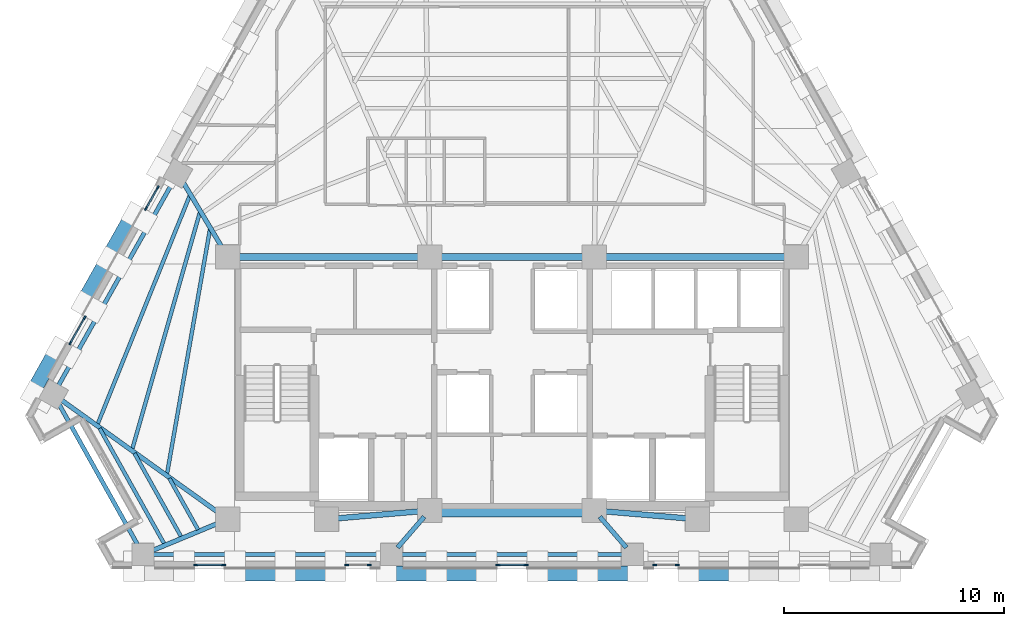
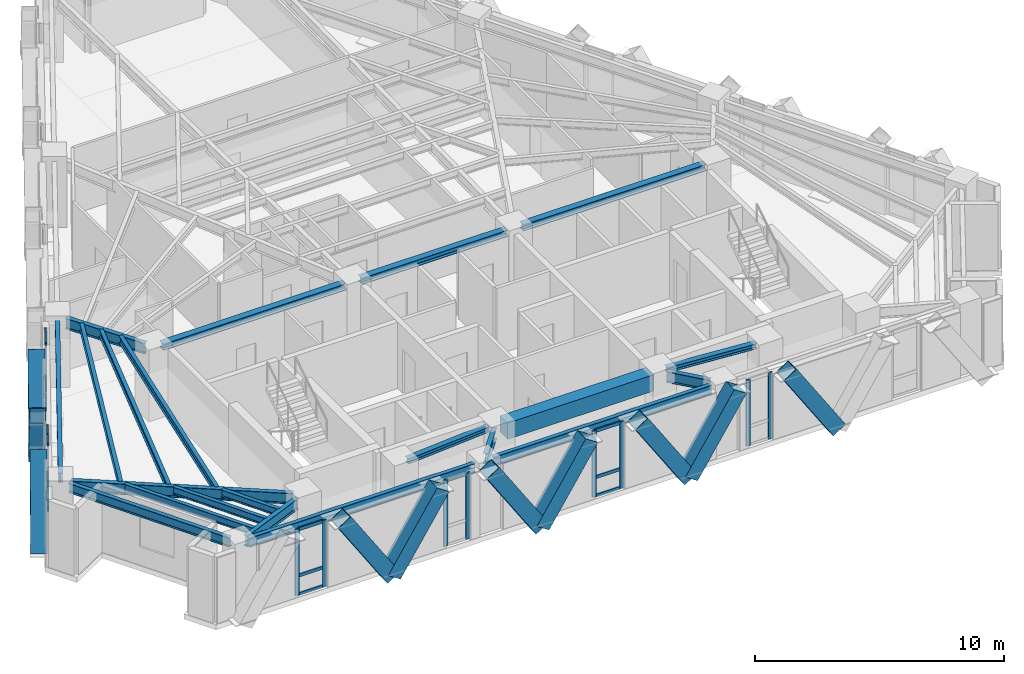
# One storey, part 2 of 13: 34 members, 21 beams, 6 elements without a shape of their own.
"""IFC4 building model written with IfcOpenShell, lengths in metres."""

from ifc_helpers import new_model, si_unit, direction, frame, origin, origin_2d, place, context, subcontext, project, spatial, rectangle, hollow_rectangle, i_section, extrude, material, material_profile, profile_set, type_object, element, aggregate, save


model = new_model("IFC4")

# Units and contexts
model_context = context("Model", 3, precision=1e-05, world=origin(), true_north=direction((0.0, 1.0)))
body_context = subcontext(model_context, "Body", "Model", "MODEL_VIEW")
ifc_project = project(units=[si_unit("LENGTHUNIT", "METRE"), si_unit("AREAUNIT", "SQUARE_METRE"), si_unit("VOLUMEUNIT", "CUBIC_METRE"), si_unit("PLANEANGLEUNIT", "RADIAN"), si_unit("MASSUNIT", "GRAM", prefix="KILO")], contexts=[model_context])

# Site, building, storey
site_placement = place(None, origin())
site = spatial("IfcSite", under=ifc_project, at=site_placement, CompositionType="ELEMENT")
building_placement = place(site_placement, origin())
building = spatial("IfcBuilding", under=site, at=building_placement, Name="Quenlor Broadcast Tower", CompositionType="ELEMENT")
storey_placement = place(building_placement, frame((0.0, 0.0, 161.5)))
storey = spatial("IfcBuildingStorey", under=building, at=storey_placement, Name="L44", CompositionType="ELEMENT", Elevation=161.5)

# Curtain wall, members
ifc_material_1 = material(Name="Architectural Terracotta and Low-E Glazing", Category="masonry")
curtain_wall_type = type_object("IfcCurtainWallType", Name="Unitised Terracotta Curtain Wall System Z3", PredefinedType="NOTDEFINED", material=ifc_material_1)
curtain_wall_1_placement = place(storey_placement, origin())
curtain_wall_1 = element("IfcCurtainWall", 1, at=curtain_wall_1_placement, inside=storey, type_object=curtain_wall_type, Name="L44 Curtain Wall CW3 (L44-SA-G2)", PredefinedType="NOTDEFINED")
ifc_material_2 = material(Name="Aluminium 6063-T6", Category="aluminium")
ifc_material_profile_1 = material_profile(ifc_material_2, rectangle(XDim=0.070068359375, YDim=0.18994140625, at=origin_2d()))
ifc_profile_set_1 = profile_set([ifc_material_profile_1], Name="Aluminium 6063-T6 MULL70x190")
member_type_1 = type_object("IfcMemberType", Name="CW3 Aluminium Mullion MULL_CW3", PredefinedType="MULLION", material=ifc_profile_set_1)
member_1_placement = place(storey_placement, frame((7.52197265625, -18.824951171875, 0.0), z_axis=(0.0, 0.0, 1.0), x_axis=(0.0, -1.0, 0.0)))
member_1 = element("IfcMember", 2, at=member_1_placement, type_object=member_type_1, Name="CW3 mullion 1", PredefinedType="MULLION", context=body_context, shape_type="SweptSolid", body=[
    extrude(rectangle(XDim=0.070068359375, YDim=0.18994140625, at=origin_2d()), origin(), (0.0, 0.0, 1.0), 3.25),
])
member_2_placement = place(storey_placement, frame((6.5009765625, -18.824951171875, 0.0), z_axis=(0.0, 0.0, 1.0), x_axis=(0.0, -1.0, 0.0)))
member_2 = element("IfcMember", 3, at=member_2_placement, type_object=member_type_1, Name="CW3 mullion 2", PredefinedType="MULLION", context=body_context, shape_type="SweptSolid", body=[
    extrude(rectangle(XDim=0.070068359375, YDim=0.18994140625, at=origin_2d()), origin(), (0.0, 0.0, 1.0), 3.25),
])
aggregate(curtain_wall_1, [member_1, member_2])

curtain_wall_2_placement = place(storey_placement, origin())
curtain_wall_2 = element("IfcCurtainWall", 4, at=curtain_wall_2_placement, inside=storey, type_object=curtain_wall_type, Name="L44 Curtain Wall CW3 (L44-SC-G1)", PredefinedType="NOTDEFINED")
member_3_placement = place(storey_placement, frame((-6.5009765625, -18.824951171875, 0.0), z_axis=(0.0, 0.0, 1.0), x_axis=(0.0, -1.0, 0.0)))
member_3 = element("IfcMember", 5, at=member_3_placement, type_object=member_type_1, Name="CW3 mullion 1", PredefinedType="MULLION", context=body_context, shape_type="SweptSolid", body=[
    extrude(rectangle(XDim=0.070068359375, YDim=0.18994140625, at=origin_2d()), origin(), (0.0, 0.0, 1.0), 3.25),
])
member_4_placement = place(storey_placement, frame((-7.52197265625, -18.824951171875, 0.0), z_axis=(0.0, 0.0, 1.0), x_axis=(0.0, -1.0, 0.0)))
member_4 = element("IfcMember", 6, at=member_4_placement, type_object=member_type_1, Name="CW3 mullion 2", PredefinedType="MULLION", context=body_context, shape_type="SweptSolid", body=[
    extrude(rectangle(XDim=0.070068359375, YDim=0.18994140625, at=origin_2d()), origin(), (0.0, 0.0, 1.0), 3.25),
])
aggregate(curtain_wall_2, [member_3, member_4])

curtain_wall_3_placement = place(storey_placement, origin())
curtain_wall_3 = element("IfcCurtainWall", 7, at=curtain_wall_3_placement, inside=storey, type_object=curtain_wall_type, Name="L44 Curtain Wall CW3 (L44-SC-G2)", PredefinedType="NOTDEFINED")
member_5_placement = place(storey_placement, frame((-13.14208984375, -18.824951171875, 0.0), z_axis=(0.0, 0.0, 1.0), x_axis=(0.0, -1.0, 0.0)))
member_5 = element("IfcMember", 8, at=member_5_placement, type_object=member_type_1, Name="CW3 mullion 1", PredefinedType="MULLION", context=body_context, shape_type="SweptSolid", body=[
    extrude(rectangle(XDim=0.070068359375, YDim=0.18994140625, at=origin_2d()), origin(), (0.0, 0.0, 1.0), 3.25),
])
member_6_placement = place(storey_placement, frame((-14.409912109375, -18.824951171875, 0.0), z_axis=(0.0, 0.0, 1.0), x_axis=(0.0, -1.0, 0.0)))
member_6 = element("IfcMember", 9, at=member_6_placement, type_object=member_type_1, Name="CW3 mullion 2", PredefinedType="MULLION", context=body_context, shape_type="SweptSolid", body=[
    extrude(rectangle(XDim=0.070068359375, YDim=0.18994140625, at=origin_2d()), origin(), (0.0, 0.0, 1.0), 3.25),
])

curtain_wall_4_placement = place(storey_placement, origin())
curtain_wall_4 = element("IfcCurtainWall", 10, at=curtain_wall_4_placement, inside=storey, type_object=curtain_wall_type, Name="L44 Curtain Wall CW3 (L44-S-G1)", PredefinedType="NOTDEFINED")
member_7_placement = place(storey_placement, frame((0.634033203125, -18.824951171875, 0.0), z_axis=(0.0, 0.0, 1.0), x_axis=(0.0, -1.0, 0.0)))
member_7 = element("IfcMember", 11, at=member_7_placement, type_object=member_type_1, Name="CW3 mullion 1", PredefinedType="MULLION", context=body_context, shape_type="SweptSolid", body=[
    extrude(rectangle(XDim=0.070068359375, YDim=0.18994140625, at=origin_2d()), origin(), (0.0, 0.0, 1.0), 3.25),
])
member_8_placement = place(storey_placement, frame((-0.634033203125, -18.824951171875, 0.0), z_axis=(0.0, 0.0, 1.0), x_axis=(0.0, -1.0, 0.0)))
member_8 = element("IfcMember", 12, at=member_8_placement, type_object=member_type_1, Name="CW3 mullion 2", PredefinedType="MULLION", context=body_context, shape_type="SweptSolid", body=[
    extrude(rectangle(XDim=0.070068359375, YDim=0.18994140625, at=origin_2d()), origin(), (0.0, 0.0, 1.0), 3.25),
])

curtain_wall_5_placement = place(storey_placement, origin())
curtain_wall_5 = element("IfcCurtainWall", 13, at=curtain_wall_5_placement, inside=storey, type_object=curtain_wall_type, Name="L44 Curtain Wall CW3 (L44-NWA-G1)", PredefinedType="NOTDEFINED")
member_9_placement = place(storey_placement, frame((-20.1171875, -8.720703125, 0.0), z_axis=(0.0, 0.0, 1.0), x_axis=(-0.871575537123, 0.490261239636, 0.0)))
member_9 = element("IfcMember", 14, at=member_9_placement, type_object=member_type_1, Name="CW3 mullion 1", PredefinedType="MULLION", context=body_context, shape_type="SweptSolid", body=[
    extrude(rectangle(XDim=0.070068359375, YDim=0.18994140625, at=origin_2d()), origin(), (0.0, 0.0, 1.0), 3.25),
])
member_10_placement = place(storey_placement, frame((-19.47021484375, -7.570556640625, 0.0), z_axis=(0.0, 0.0, 1.0), x_axis=(-0.871575537123, 0.490261239636, 0.0)))
member_10 = element("IfcMember", 15, at=member_10_placement, type_object=member_type_1, Name="CW3 mullion 2", PredefinedType="MULLION", context=body_context, shape_type="SweptSolid", body=[
    extrude(rectangle(XDim=0.070068359375, YDim=0.18994140625, at=origin_2d()), origin(), (0.0, 0.0, 1.0), 3.25),
])

curtain_wall_6_placement = place(storey_placement, origin())
curtain_wall_6 = element("IfcCurtainWall", 16, at=curtain_wall_6_placement, inside=storey, type_object=curtain_wall_type, Name="L44 Curtain Wall CW3 (L44-NWA-G2)", PredefinedType="NOTDEFINED")
member_11_placement = place(storey_placement, frame((-16.6689453125, -2.5908203125, 0.0), z_axis=(0.0, 0.0, 1.0), x_axis=(-0.871580169247, 0.490253004657, 0.0)))
member_11 = element("IfcMember", 17, at=member_11_placement, type_object=member_type_1, Name="CW3 mullion 1", PredefinedType="MULLION", context=body_context, shape_type="SweptSolid", body=[
    extrude(rectangle(XDim=0.070068359375, YDim=0.18994140625, at=origin_2d()), origin(), (0.0, 0.0, 1.0), 3.25),
])
member_12_placement = place(storey_placement, frame((-16.137939453125, -1.646728515625, 0.0), z_axis=(0.0, 0.0, 1.0), x_axis=(-0.871580169247, 0.490253004657, 0.0)))
member_12 = element("IfcMember", 18, at=member_12_placement, type_object=member_type_1, Name="CW3 mullion 2", PredefinedType="MULLION", context=body_context, shape_type="SweptSolid", body=[
    extrude(rectangle(XDim=0.070068359375, YDim=0.18994140625, at=origin_2d()), origin(), (0.0, 0.0, 1.0), 3.25),
])

# Member
ifc_material_3 = material(Name="Aluminium 6063-T6", Category="aluminium")
ifc_material_profile_2 = material_profile(ifc_material_3, rectangle(XDim=0.070068359375, YDim=0.155029296875, at=origin_2d()))
ifc_profile_set_2 = profile_set([ifc_material_profile_2], Name="Aluminium 6063-T6 TRAN70x155")
member_type_2 = type_object("IfcMemberType", Name="CW3 Aluminium Transom TRAN_CW3", PredefinedType="USERDEFINED", material=ifc_profile_set_2)
member_13_placement = place(storey_placement, frame((-13.177001953125, -18.824951171875, 0.034912109375), z_axis=(-1.0, 0.0, 0.0), x_axis=(0.0, -1.0, 0.0)))
member_13 = element("IfcMember", 19, at=member_13_placement, type_object=member_type_2, Name="CW3 transom 1.1", ObjectType="TRANSOM", PredefinedType="USERDEFINED", context=body_context, shape_type="SweptSolid", body=[
    extrude(rectangle(XDim=0.070068359375, YDim=0.155029296875, at=origin_2d()), origin(), (0.0, 0.0, 1.0), 1.197998046875),
])

member_14_placement = place(storey_placement, frame((-13.177001953125, -18.824951171875, 0.949951171875), z_axis=(-1.0, 0.0, 0.0), x_axis=(0.0, -1.0, 0.0)))
member_14 = element("IfcMember", 20, at=member_14_placement, type_object=member_type_2, Name="CW3 transom 1.2", ObjectType="TRANSOM", PredefinedType="USERDEFINED", context=body_context, shape_type="SweptSolid", body=[
    extrude(rectangle(XDim=0.070068359375, YDim=0.155029296875, at=origin_2d()), origin(), (0.0, 0.0, 1.0), 1.197998046875),
])

member_15_placement = place(storey_placement, frame((-13.177001953125, -18.824951171875, 3.215087890625), z_axis=(-1.0, 0.0, 0.0), x_axis=(0.0, -1.0, 0.0)))
member_15 = element("IfcMember", 21, at=member_15_placement, type_object=member_type_2, Name="CW3 transom 1.3", ObjectType="TRANSOM", PredefinedType="USERDEFINED", context=body_context, shape_type="SweptSolid", body=[
    extrude(rectangle(XDim=0.070068359375, YDim=0.155029296875, at=origin_2d()), origin(), (0.0, 0.0, 1.0), 1.197998046875),
])

aggregate(curtain_wall_3, [member_5, member_6, member_13, member_14, member_15])

member_16_placement = place(storey_placement, frame((0.59912109375, -18.824951171875, 0.034912109375), z_axis=(-1.0, 0.0, 0.0), x_axis=(0.0, -1.0, 0.0)))
member_16 = element("IfcMember", 22, at=member_16_placement, type_object=member_type_2, Name="CW3 transom 1.1", ObjectType="TRANSOM", PredefinedType="USERDEFINED", context=body_context, shape_type="SweptSolid", body=[
    extrude(rectangle(XDim=0.070068359375, YDim=0.155029296875, at=origin_2d()), origin(), (0.0, 0.0, 1.0), 1.1982421875),
])

member_17_placement = place(storey_placement, frame((0.59912109375, -18.824951171875, 0.949951171875), z_axis=(-1.0, 0.0, 0.0), x_axis=(0.0, -1.0, 0.0)))
member_17 = element("IfcMember", 23, at=member_17_placement, type_object=member_type_2, Name="CW3 transom 1.2", ObjectType="TRANSOM", PredefinedType="USERDEFINED", context=body_context, shape_type="SweptSolid", body=[
    extrude(rectangle(XDim=0.070068359375, YDim=0.155029296875, at=origin_2d()), origin(), (0.0, 0.0, 1.0), 1.1982421875),
])

member_18_placement = place(storey_placement, frame((0.59912109375, -18.824951171875, 3.215087890625), z_axis=(-1.0, 0.0, 0.0), x_axis=(0.0, -1.0, 0.0)))
member_18 = element("IfcMember", 24, at=member_18_placement, type_object=member_type_2, Name="CW3 transom 1.3", ObjectType="TRANSOM", PredefinedType="USERDEFINED", context=body_context, shape_type="SweptSolid", body=[
    extrude(rectangle(XDim=0.070068359375, YDim=0.155029296875, at=origin_2d()), origin(), (0.0, 0.0, 1.0), 1.1982421875),
])

aggregate(curtain_wall_4, [member_7, member_8, member_16, member_17, member_18])

member_19_placement = place(storey_placement, frame((-20.10009765625, -8.690185546875, 0.034912109375), z_axis=(0.490363266059, 0.871518139398, 0.0), x_axis=(-0.871518139398, 0.490363266059, 0.0)))
member_19 = element("IfcMember", 25, at=member_19_placement, type_object=member_type_2, Name="CW3 transom 1.1", ObjectType="TRANSOM", PredefinedType="USERDEFINED", context=body_context, shape_type="SweptSolid", body=[
    extrude(rectangle(XDim=0.070068359375, YDim=0.155029296875, at=origin_2d()), origin(), (0.0, 0.0, 1.0), 1.249755859375),
])

member_20_placement = place(storey_placement, frame((-20.10009765625, -8.690185546875, 0.949951171875), z_axis=(0.490363266059, 0.871518139398, 0.0), x_axis=(-0.871518139398, 0.490363266059, 0.0)))
member_20 = element("IfcMember", 26, at=member_20_placement, type_object=member_type_2, Name="CW3 transom 1.2", ObjectType="TRANSOM", PredefinedType="USERDEFINED", context=body_context, shape_type="SweptSolid", body=[
    extrude(rectangle(XDim=0.070068359375, YDim=0.155029296875, at=origin_2d()), origin(), (0.0, 0.0, 1.0), 1.249755859375),
])

member_21_placement = place(storey_placement, frame((-20.10009765625, -8.690185546875, 3.215087890625), z_axis=(0.490363266059, 0.871518139398, 0.0), x_axis=(-0.871518139398, 0.490363266059, 0.0)))
member_21 = element("IfcMember", 27, at=member_21_placement, type_object=member_type_2, Name="CW3 transom 1.3", ObjectType="TRANSOM", PredefinedType="USERDEFINED", context=body_context, shape_type="SweptSolid", body=[
    extrude(rectangle(XDim=0.070068359375, YDim=0.155029296875, at=origin_2d()), origin(), (0.0, 0.0, 1.0), 1.249755859375),
])

aggregate(curtain_wall_5, [member_9, member_10, member_19, member_20, member_21])

member_22_placement = place(storey_placement, frame((-16.65185546875, -2.560302734375, 0.034912109375), z_axis=(0.49015826449, 0.871633452635, 0.0), x_axis=(-0.871633452635, 0.49015826449, 0.0)))
member_22 = element("IfcMember", 28, at=member_22_placement, type_object=member_type_2, Name="CW3 transom 1.1", ObjectType="TRANSOM", PredefinedType="USERDEFINED", context=body_context, shape_type="SweptSolid", body=[
    extrude(rectangle(XDim=0.070068359375, YDim=0.155029296875, at=origin_2d()), origin(), (0.0, 0.0, 1.0), 1.01318359375),
])

member_23_placement = place(storey_placement, frame((-16.65185546875, -2.560302734375, 0.949951171875), z_axis=(0.49015826449, 0.871633452635, 0.0), x_axis=(-0.871633452635, 0.49015826449, 0.0)))
member_23 = element("IfcMember", 29, at=member_23_placement, type_object=member_type_2, Name="CW3 transom 1.2", ObjectType="TRANSOM", PredefinedType="USERDEFINED", context=body_context, shape_type="SweptSolid", body=[
    extrude(rectangle(XDim=0.070068359375, YDim=0.155029296875, at=origin_2d()), origin(), (0.0, 0.0, 1.0), 1.01318359375),
])

member_24_placement = place(storey_placement, frame((-16.65185546875, -2.560302734375, 3.215087890625), z_axis=(0.49015826449, 0.871633452635, 0.0), x_axis=(-0.871633452635, 0.49015826449, 0.0)))
member_24 = element("IfcMember", 30, at=member_24_placement, type_object=member_type_2, Name="CW3 transom 1.3", ObjectType="TRANSOM", PredefinedType="USERDEFINED", context=body_context, shape_type="SweptSolid", body=[
    extrude(rectangle(XDim=0.070068359375, YDim=0.155029296875, at=origin_2d()), origin(), (0.0, 0.0, 1.0), 1.01318359375),
])

aggregate(curtain_wall_6, [member_11, member_12, member_22, member_23, member_24])

# Beams
ifc_material_4 = material(Name="Concrete C50/60", Category="concrete")
ifc_material_profile_3 = material_profile(ifc_material_4, rectangle(XDim=0.60009765625, YDim=0.800048828125, at=origin_2d()))
ifc_profile_set_3 = profile_set([ifc_material_profile_3], Name="Concrete C50/60 RCB600x800")
beam_type_1 = type_object("IfcBeamType", Name="Core Coupling Beam Concrete C50/60 600x800", PredefinedType="BEAM", material=ifc_profile_set_3)
beam_1_placement = place(storey_placement, frame((-3.389892578125, -16.35009765625, 2.85009765625), z_axis=(1.0, 0.0, 0.0), x_axis=(0.0, 1.0, 0.0)))
element("IfcBeam", 31, at=beam_1_placement, inside=storey, type_object=beam_type_1, Name="L44 Core Coupling Beam 6", PredefinedType="BEAM", context=body_context, shape_type="SweptSolid", body=[
    extrude(rectangle(XDim=0.60009765625, YDim=0.800048828125, at=origin_2d()), origin(), (0.0, 0.0, 1.0), 6.77978515625),
])
ifc_material_5 = material(Name="Steel S355", Category="steel")
ifc_material_profile_4 = material_profile(ifc_material_5, i_section(OverallWidth=0.304931640625, OverallDepth=0.30810546875, WebThickness=0.010009765625, FlangeThickness=0.015380859375, FilletRadius=0.0166015625, at=origin_2d()))
ifc_profile_set_4 = profile_set([ifc_material_profile_4], Name="Steel S355 310UC96.8")
beam_type_2 = type_object("IfcBeamType", Name="Core Header Beam Steel S355 310UC96.8", PredefinedType="BEAM", material=ifc_profile_set_4)
beam_2_placement = place(storey_placement, frame((-3.389892578125, -4.800048828125, 3.095947265625), z_axis=(1.0, 0.0, 0.0), x_axis=(0.0, 1.0, 0.0)))
element("IfcBeam", 32, at=beam_2_placement, inside=storey, type_object=beam_type_2, Name="L44 Core Header Beam 2", PredefinedType="BEAM", context=body_context, shape_type="SweptSolid", body=[
    extrude(i_section(OverallWidth=0.304931640625, OverallDepth=0.30810546875, WebThickness=0.010009765625, FlangeThickness=0.015380859375, FilletRadius=0.0166015625, at=origin_2d()), origin(), (0.0, 0.0, 1.0), 6.77978515625),
])
ifc_material_6 = material(Name="Steel S355", Category="steel")
ifc_material_profile_5 = material_profile(ifc_material_6, i_section(OverallWidth=0.25390625, OverallDepth=0.25390625, WebThickness=0.008544921875, FlangeThickness=0.01416015625, FilletRadius=0.013916015625, at=origin_2d()))
ifc_profile_set_5 = profile_set([ifc_material_profile_5], Name="Steel S355 250UC72.9")
beam_type_3 = type_object("IfcBeamType", Name="Core Opening Lintel Beam Steel S355 250UC72.9", PredefinedType="LINTEL", material=ifc_profile_set_5)
for number, where, z_axis, x_axis, name in (
    (33, (-8.09130859375, -16.719482421875, 3.123046875), (0.996399763903, 0.084779186679, 0.0), (-0.084779186679, 0.996399763903, 0.0), "L44 Core Opening Lintel Beam 4"),
    (34, (4.108642578125, -16.380615234375, 3.123046875), (0.996399763903, -0.084779186679, 0.0), (0.084779186679, 0.996399763903, 0.0), "L44 Core Opening Lintel Beam 5"),
):
    element("IfcBeam", number, at=place(storey_placement, frame(where, z_axis=z_axis, x_axis=x_axis)), inside=storey, type_object=beam_type_3, Name=name, PredefinedType="LINTEL", context=body_context, shape_type="SweptSolid", body=[
        extrude(i_section(OverallWidth=0.25390625, OverallDepth=0.25390625, WebThickness=0.008544921875, FlangeThickness=0.01416015625, FilletRadius=0.013916015625, at=origin_2d()), origin(), (0.0, 0.0, 1.0), 3.9970703125),
    ])
ifc_material_7 = material(Name="Steel S355", Category="steel")
ifc_material_profile_6 = material_profile(ifc_material_7, i_section(OverallWidth=0.306884765625, OverallDepth=0.314697265625, WebThickness=0.011962890625, FlangeThickness=0.018798828125, FilletRadius=0.0166015625, at=origin_2d()))
ifc_profile_set_6 = profile_set([ifc_material_profile_6], Name="Steel S355 310UC118")
beam_type_4 = type_object("IfcBeamType", Name="Core Tie Beam Steel S355 310UC118", PredefinedType="BEAM", material=ifc_profile_set_6)
for number, where, z_axis, x_axis, name in (
    (35, (-12.590087890625, -4.800048828125, 3.0927734375), (1.0, 0.0, 0.0), (0.0, 1.0, 0.0), "L44 Core Tie Beam 1"),
    (36, (4.110107421875, -4.800048828125, 3.0927734375), (1.0, 0.0, 0.0), (0.0, 1.0, 0.0), "L44 Core Tie Beam 3"),
):
    element("IfcBeam", number, at=place(storey_placement, frame(where, z_axis=z_axis, x_axis=x_axis)), inside=storey, type_object=beam_type_4, Name=name, PredefinedType="BEAM", context=body_context, shape_type="SweptSolid", body=[
        extrude(i_section(OverallWidth=0.306884765625, OverallDepth=0.314697265625, WebThickness=0.011962890625, FlangeThickness=0.018798828125, FilletRadius=0.0166015625, at=origin_2d()), origin(), (0.0, 0.0, 1.0), 8.47998046875),
    ])

# Members
ifc_material_8 = material(Name="Steel S355", Category="steel")
ifc_material_profile_7 = material_profile(ifc_material_8, hollow_rectangle(XDim=0.679931640625, YDim=0.679931640625, WallThickness=0.02490234375, at=origin_2d()))
ifc_profile_set_7 = profile_set([ifc_material_profile_7], Name="Steel S355 RHS680x680x25")
member_type_3 = type_object("IfcMemberType", Name="Perimeter Diagonal Lattice Brace Z3-Z4 Steel S355 RHS680x25", PredefinedType="BRACE", material=ifc_profile_set_7)
member_25_placement = place(storey_placement, frame((10.318115234375, -19.219970703125, -0.1201171875), z_axis=(-0.543860340502, 0.0, 0.839175744424), x_axis=(0.0, -1.0, 0.0)))
element("IfcMember", 37, at=member_25_placement, inside=storey, type_object=member_type_3, Name="L44 Perimeter Diamond Lattice S-C2S", PredefinedType="BRACE", context=body_context, shape_type="SweptSolid", body=[
    extrude(hollow_rectangle(XDim=0.679931640625, YDim=0.679931640625, WallThickness=0.02490234375, at=origin_2d()), origin(), (0.0, 0.0, 1.0), 4.170654296875),
])
member_26_placement = place(storey_placement, frame((3.457763671875, -19.219970703125, -0.1201171875), z_axis=(0.543901560697, 0.0, 0.839149028643), x_axis=(0.0, 1.0, 0.0)))
element("IfcMember", 38, at=member_26_placement, inside=storey, type_object=member_type_3, Name="L44 Perimeter Diamond Lattice S-C2B", PredefinedType="BRACE", context=body_context, shape_type="SweptSolid", body=[
    extrude(hollow_rectangle(XDim=0.679931640625, YDim=0.679931640625, WallThickness=0.02490234375, at=origin_2d()), origin(), (0.0, 0.0, 1.0), 4.1708984375),
])
for number, where, z_axis, x_axis, name in (
    (39, (3.43017578125, -19.219970703125, -0.1201171875), (-0.543860340502, 0.0, 0.839175744424), (0.0, -1.0, 0.0), "L44 Perimeter Diamond Lattice S-C3S"),
    (40, (-3.43017578125, -19.219970703125, -0.1201171875), (0.543860340502, 0.0, 0.839175744424), (0.0, 1.0, 0.0), "L44 Perimeter Diamond Lattice S-C3B"),
):
    element("IfcMember", number, at=place(storey_placement, frame(where, z_axis=z_axis, x_axis=x_axis)), inside=storey, type_object=member_type_3, Name=name, PredefinedType="BRACE", context=body_context, shape_type="SweptSolid", body=[
        extrude(hollow_rectangle(XDim=0.679931640625, YDim=0.679931640625, WallThickness=0.02490234375, at=origin_2d()), origin(), (0.0, 0.0, 1.0), 4.170654296875),
    ])
member_27_placement = place(storey_placement, frame((-3.457763671875, -19.219970703125, -0.1201171875), z_axis=(-0.543901560697, 0.0, 0.839149028643), x_axis=(0.0, -1.0, 0.0)))
element("IfcMember", 41, at=member_27_placement, inside=storey, type_object=member_type_3, Name="L44 Perimeter Diamond Lattice S-C4S", PredefinedType="BRACE", context=body_context, shape_type="SweptSolid", body=[
    extrude(hollow_rectangle(XDim=0.679931640625, YDim=0.679931640625, WallThickness=0.02490234375, at=origin_2d()), origin(), (0.0, 0.0, 1.0), 4.1708984375),
])
member_28_placement = place(storey_placement, frame((-10.318115234375, -19.219970703125, -0.1201171875), z_axis=(0.543860340502, 0.0, 0.839175744424), x_axis=(0.0, 1.0, 0.0)))
element("IfcMember", 42, at=member_28_placement, inside=storey, type_object=member_type_3, Name="L44 Perimeter Diamond Lattice S-C4B", PredefinedType="BRACE", context=body_context, shape_type="SweptSolid", body=[
    extrude(hollow_rectangle(XDim=0.679931640625, YDim=0.679931640625, WallThickness=0.02490234375, at=origin_2d()), origin(), (0.0, 0.0, 1.0), 4.170654296875),
])
member_29_placement = place(storey_placement, frame((-10.345703125, -19.219970703125, -0.1201171875), z_axis=(-0.543901560697, 0.0, 0.839149028643), x_axis=(0.0, -1.0, 0.0)))
element("IfcMember", 43, at=member_29_placement, inside=storey, type_object=member_type_3, Name="L44 Perimeter Diamond Lattice S-C5S", PredefinedType="BRACE", context=body_context, shape_type="SweptSolid", body=[
    extrude(hollow_rectangle(XDim=0.679931640625, YDim=0.679931640625, WallThickness=0.02490234375, at=origin_2d()), origin(), (0.0, 0.0, 1.0), 4.1708984375),
])
for number, where, z_axis, x_axis, name in (
    (44, (-21.85498046875, -11.004638671875, -0.1201171875), (0.2705491942, 0.481008661973, 0.833926735766), (-0.871589611547, 0.490236217596, 0.0), "L44 Perimeter Diamond Lattice NW-C1S"),
    (45, (-18.4208984375, -4.8994140625, -0.1201171875), (-0.2705491942, -0.481008661973, 0.833926735766), (0.871589611547, -0.490236217596, 0.0), "L44 Perimeter Diamond Lattice NW-C1B"),
    (46, (-18.406982421875, -4.874755859375, -0.1201171875), (0.2705491942, 0.481008661973, 0.833926735766), (-0.871589611547, 0.490236217596, 0.0), "L44 Perimeter Diamond Lattice NW-C2S"),
):
    element("IfcMember", number, at=place(storey_placement, frame(where, z_axis=z_axis, x_axis=x_axis)), inside=storey, type_object=member_type_3, Name=name, PredefinedType="BRACE", context=body_context, shape_type="SweptSolid", body=[
        extrude(hollow_rectangle(XDim=0.679931640625, YDim=0.679931640625, WallThickness=0.02490234375, at=origin_2d()), origin(), (0.0, 0.0, 1.0), 4.197021484375),
    ])

# Beams
ifc_material_9 = material(Name="Steel S355", Category="steel")
ifc_material_profile_8 = material_profile(ifc_material_9, i_section(OverallWidth=0.19091796875, OverallDepth=0.46044921875, WebThickness=0.010009765625, FlangeThickness=0.01611328125, FilletRadius=0.011474609375, at=origin_2d()))
ifc_profile_set_8 = profile_set([ifc_material_profile_8], Name="Steel S355 460UB82.1")
beam_type_5 = type_object("IfcBeamType", Name="Perimeter Spandrel Beam Z3 Steel S355 460UB82.1", PredefinedType="SPANDREL", material=ifc_profile_set_8)
beam_3_placement = place(storey_placement, frame((-16.3984375, -18.35009765625, 3.019775390625), z_axis=(1.0, 0.0, 0.0), x_axis=(0.0, 1.0, 0.0)))
element("IfcBeam", 47, at=beam_3_placement, inside=storey, type_object=beam_type_5, Name="L44 Spandrel Beam S1-S2", PredefinedType="SPANDREL", context=body_context, shape_type="SweptSolid", body=[
    extrude(i_section(OverallWidth=0.19091796875, OverallDepth=0.46044921875, WebThickness=0.010009765625, FlangeThickness=0.01611328125, FilletRadius=0.011474609375, at=origin_2d()), origin(), (0.0, 0.0, 1.0), 10.50732421875),
])
beam_4_placement = place(storey_placement, frame((-5.071044921875, -18.35009765625, 3.019775390625), z_axis=(1.0, 0.0, 0.0), x_axis=(0.0, 1.0, 0.0)))
element("IfcBeam", 48, at=beam_4_placement, inside=storey, type_object=beam_type_5, Name="L44 Spandrel Beam S2-S3", PredefinedType="SPANDREL", context=body_context, shape_type="SweptSolid", body=[
    extrude(i_section(OverallWidth=0.19091796875, OverallDepth=0.46044921875, WebThickness=0.010009765625, FlangeThickness=0.01611328125, FilletRadius=0.011474609375, at=origin_2d()), origin(), (0.0, 0.0, 1.0), 10.14208984375),
])
beam_5_placement = place(storey_placement, frame((-15.425048828125, -1.347900390625, 3.019775390625), z_axis=(-0.490257999604, -0.871577359633, 0.0), x_axis=(0.871577359633, -0.490257999604, 0.0)))
element("IfcBeam", 49, at=beam_5_placement, inside=storey, type_object=beam_type_5, Name="L44 Spandrel Beam NW3-NW4", PredefinedType="SPANDREL", context=body_context, shape_type="SweptSolid", body=[
    extrude(i_section(OverallWidth=0.19091796875, OverallDepth=0.46044921875, WebThickness=0.010009765625, FlangeThickness=0.01611328125, FilletRadius=0.011474609375, at=origin_2d()), origin(), (0.0, 0.0, 1.0), 10.732666015625),
])
beam_6_placement = place(storey_placement, frame((-20.6875, -11.417236328125, 3.019775390625), z_axis=(0.488298439934, -0.872676706208, 0.0), x_axis=(0.872676706208, 0.488298439934, 0.0)))
element("IfcBeam", 50, at=beam_6_placement, inside=storey, type_object=beam_type_5, Name="L44 Spandrel Beam NW4-S1", PredefinedType="SPANDREL", context=body_context, shape_type="SweptSolid", body=[
    extrude(i_section(OverallWidth=0.19091796875, OverallDepth=0.46044921875, WebThickness=0.010009765625, FlangeThickness=0.01611328125, FilletRadius=0.011474609375, at=origin_2d()), origin(), (0.0, 0.0, 1.0), 7.5341796875),
])
ifc_material_10 = material(Name="Steel S355", Category="steel")
ifc_material_profile_9 = material_profile(ifc_material_10, i_section(OverallWidth=0.172119140625, OverallDepth=0.358642578125, WebThickness=0.008056640625, FlangeThickness=0.012939453125, FilletRadius=0.011474609375, at=origin_2d()))
ifc_profile_set_9 = profile_set([ifc_material_profile_9], Name="Steel S355 360UB56.7")
beam_type_6 = type_object("IfcBeamType", Name="Tower Composite Joist Z2-Z3 Steel S355 360UB56.7", PredefinedType="JOIST", material=ifc_profile_set_9)
beam_7_placement = place(storey_placement, frame((-15.71435546875, -14.679443359375, 3.07080078125), z_axis=(0.172906811417, 0.984938188195, 0.0), x_axis=(-0.984938188195, 0.172906811417, 0.0)))
element("IfcBeam", 51, at=beam_7_placement, inside=storey, type_object=beam_type_6, Name="L44 Secondary Composite Joist 13", PredefinedType="JOIST", context=body_context, shape_type="SweptSolid", body=[
    extrude(i_section(OverallWidth=0.172119140625, OverallDepth=0.358642578125, WebThickness=0.008056640625, FlangeThickness=0.012939453125, FilletRadius=0.011474609375, at=origin_2d()), origin(), (0.0, 0.0, 1.0), 11.30419921875),
])
beam_8_placement = place(storey_placement, frame((-17.293701171875, -13.543212890625, 3.07080078125), z_axis=(0.274418577045, 0.961610339261, 0.0), x_axis=(-0.961610339261, 0.274418577045, 0.0)))
element("IfcBeam", 52, at=beam_8_placement, inside=storey, type_object=beam_type_6, Name="L44 Secondary Composite Joist 14", PredefinedType="JOIST", context=body_context, shape_type="SweptSolid", body=[
    extrude(i_section(OverallWidth=0.172119140625, OverallDepth=0.358642578125, WebThickness=0.008056640625, FlangeThickness=0.012939453125, FilletRadius=0.011474609375, at=origin_2d()), origin(), (0.0, 0.0, 1.0), 11.191162109375),
])
beam_9_placement = place(storey_placement, frame((-18.873291015625, -12.407958984375, 3.07080078125), z_axis=(0.373824118901, 0.927499610851, 0.0), x_axis=(-0.927499610851, 0.373824118901, 0.0)))
element("IfcBeam", 53, at=beam_9_placement, inside=storey, type_object=beam_type_6, Name="L44 Secondary Composite Joist 15", PredefinedType="JOIST", context=body_context, shape_type="SweptSolid", body=[
    extrude(i_section(OverallWidth=0.172119140625, OverallDepth=0.358642578125, WebThickness=0.008056640625, FlangeThickness=0.012939453125, FilletRadius=0.011474609375, at=origin_2d()), origin(), (0.0, 0.0, 1.0), 11.203125),
])
beam_10_placement = place(storey_placement, frame((-14.30078125, -17.22412109375, 3.07080078125), z_axis=(-0.488370382241, 0.87263644764, 0.0), x_axis=(-0.87263644764, -0.488370382241, 0.0)))
element("IfcBeam", 54, at=beam_10_placement, inside=storey, type_object=beam_type_6, Name="L44 Secondary Composite Joist 19", PredefinedType="JOIST", context=body_context, shape_type="SweptSolid", body=[
    extrude(i_section(OverallWidth=0.172119140625, OverallDepth=0.358642578125, WebThickness=0.008056640625, FlangeThickness=0.012939453125, FilletRadius=0.011474609375, at=origin_2d()), origin(), (0.0, 0.0, 1.0), 2.680419921875),
])
beam_11_placement = place(storey_placement, frame((-15.072509765625, -17.544189453125, 3.07080078125), z_axis=(-0.488294103756, 0.872679132463, 0.0), x_axis=(-0.872679132463, -0.488294103756, 0.0)))
element("IfcBeam", 55, at=beam_11_placement, inside=storey, type_object=beam_type_6, Name="L44 Secondary Composite Joist 20", PredefinedType="JOIST", context=body_context, shape_type="SweptSolid", body=[
    extrude(i_section(OverallWidth=0.172119140625, OverallDepth=0.358642578125, WebThickness=0.008056640625, FlangeThickness=0.012939453125, FilletRadius=0.011474609375, at=origin_2d()), origin(), (0.0, 0.0, 1.0), 4.351318359375),
])
beam_12_placement = place(storey_placement, frame((-15.84423828125, -17.8642578125, 3.07080078125), z_axis=(-0.488308300212, 0.872671188905, 0.0), x_axis=(-0.872671188905, -0.488308300212, 0.0)))
element("IfcBeam", 56, at=beam_12_placement, inside=storey, type_object=beam_type_6, Name="L44 Secondary Composite Joist 21", PredefinedType="JOIST", context=body_context, shape_type="SweptSolid", body=[
    extrude(i_section(OverallWidth=0.172119140625, OverallDepth=0.358642578125, WebThickness=0.008056640625, FlangeThickness=0.012939453125, FilletRadius=0.011474609375, at=origin_2d()), origin(), (0.0, 0.0, 1.0), 6.022216796875),
])
ifc_material_11 = material(Name="Steel S355", Category="steel")
ifc_material_profile_10 = material_profile(ifc_material_11, i_section(OverallWidth=0.208984375, OverallDepth=0.532958984375, WebThickness=0.01025390625, FlangeThickness=0.015625, FilletRadius=0.013916015625, at=origin_2d()))
ifc_profile_set_10 = profile_set([ifc_material_profile_10], Name="Steel S355 530UB92.4")
beam_type_7 = type_object("IfcBeamType", Name="Tower Primary Floor Beam Z3 Steel S355 530UB92.4", PredefinedType="BEAM", material=ifc_profile_set_10)
beam_13_placement = place(storey_placement, frame((-16.4296875, -18.19287109375, 2.9833984375), z_axis=(0.923730294618, 0.383043525993, 0.0), x_axis=(-0.383043525993, 0.923730294618, 0.0)))
element("IfcBeam", 57, at=beam_13_placement, inside=storey, type_object=beam_type_7, Name="L44 Primary Radial Beam S1", PredefinedType="BEAM", context=body_context, shape_type="SweptSolid", body=[
    extrude(i_section(OverallWidth=0.208984375, OverallDepth=0.532958984375, WebThickness=0.01025390625, FlangeThickness=0.015625, FilletRadius=0.013916015625, at=origin_2d()), origin(), (0.0, 0.0, 1.0), 3.386962890625),
])
for number, where, z_axis, x_axis, name in (
    (58, (-5.212646484375, -18.0400390625, 2.9833984375), (0.654339118401, 0.75620124182, 0.0), (-0.75620124182, 0.654339118401, 0.0), "L44 Primary Radial Beam S2"),
    (59, (5.212646484375, -18.0400390625, 2.9833984375), (-0.654339118401, 0.75620124182, 0.0), (-0.75620124182, -0.654339118401, 0.0), "L44 Primary Radial Beam S3"),
):
    element("IfcBeam", number, at=place(storey_placement, frame(where, z_axis=z_axis, x_axis=x_axis)), inside=storey, type_object=beam_type_7, Name=name, PredefinedType="BEAM", context=body_context, shape_type="SweptSolid", body=[
        extrude(i_section(OverallWidth=0.208984375, OverallDepth=0.532958984375, WebThickness=0.01025390625, FlangeThickness=0.015625, FilletRadius=0.013916015625, at=origin_2d()), origin(), (0.0, 0.0, 1.0), 1.855224609375),
    ])
beam_14_placement = place(storey_placement, frame((-15.013916015625, -1.3427734375, 2.9833984375), z_axis=(0.512604023694, -0.858625130597, 0.0), x_axis=(0.858625130597, 0.512604023694, 0.0)))
element("IfcBeam", 60, at=beam_14_placement, inside=storey, type_object=beam_type_7, Name="L44 Primary Radial Beam NW3", PredefinedType="BEAM", context=body_context, shape_type="SweptSolid", body=[
    extrude(i_section(OverallWidth=0.208984375, OverallDepth=0.532958984375, WebThickness=0.01025390625, FlangeThickness=0.015625, FilletRadius=0.013916015625, at=origin_2d()), origin(), (0.0, 0.0, 1.0), 3.646484375),
])
beam_15_placement = place(storey_placement, frame((-20.554443359375, -11.29833984375, 2.9833984375), z_axis=(0.812728908832, -0.582642017666, 0.0), x_axis=(0.582642017666, 0.812728908832, 0.0)))
element("IfcBeam", 61, at=beam_15_placement, inside=storey, type_object=beam_type_7, Name="L44 Primary Radial Beam NW4", PredefinedType="BEAM", context=body_context, shape_type="SweptSolid", body=[
    extrude(i_section(OverallWidth=0.208984375, OverallDepth=0.532958984375, WebThickness=0.01025390625, FlangeThickness=0.015625, FilletRadius=0.013916015625, at=origin_2d()), origin(), (0.0, 0.0, 1.0), 8.976806640625),
])

save(model, "model.ifc")
